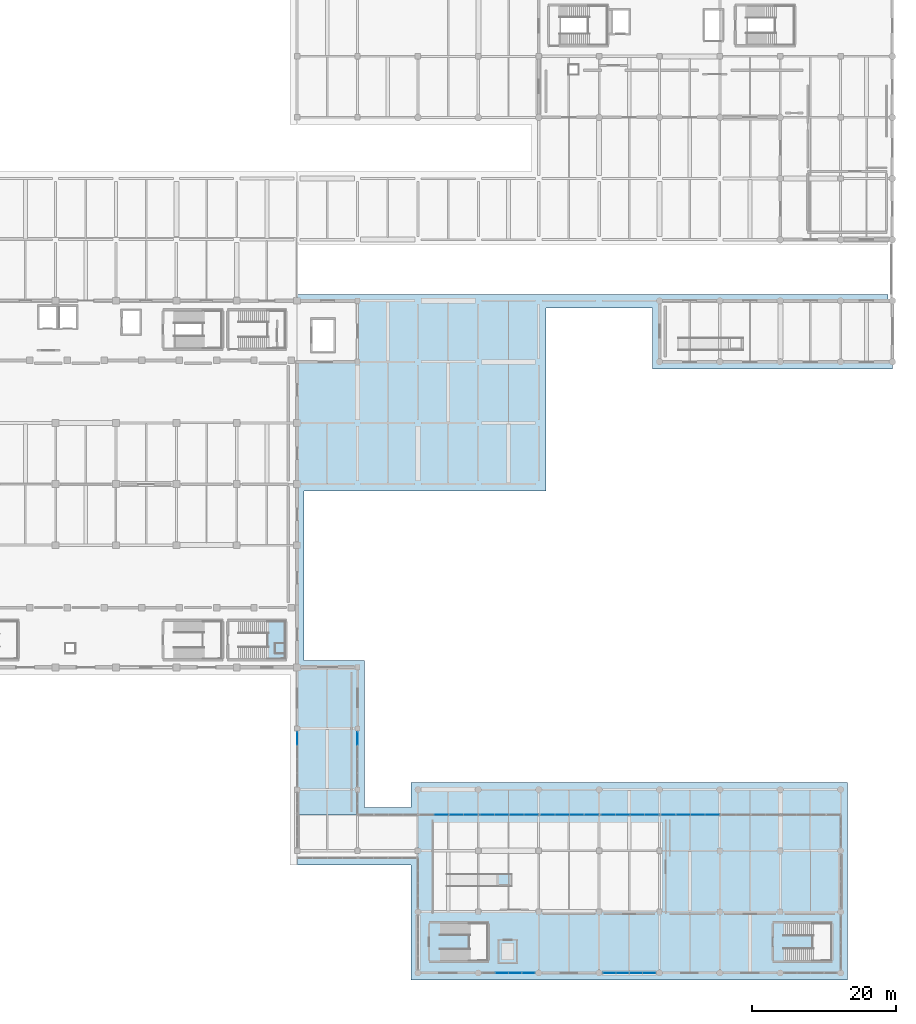
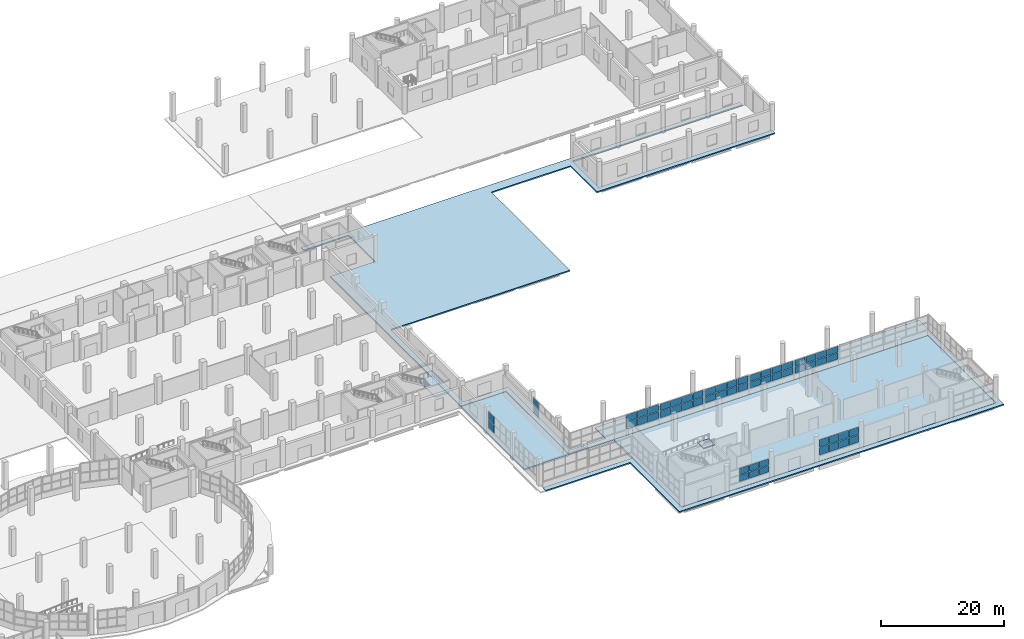
# One storey, part 81 of 107: 56 plates, 5 slabs, 11 elements without a shape of their own.
"""IFC4 building model written with IfcOpenShell, lengths in metres."""

from ifc_helpers import new_model, si_unit, direction, frame, origin, origin_2d, place, context, subcontext, project, spatial, polyline, rectangle, outline, extrude, material, layer, layer_set, type_object, element, aggregate, save


model = new_model("IFC4")

# Units and contexts
model_context = context("Model", 3, precision=1e-05, world=origin(), true_north=direction((0.0, 1.0)))
body_context = subcontext(model_context, "Body", "Model", "MODEL_VIEW")
ifc_project = project(units=[si_unit("LENGTHUNIT", "METRE"), si_unit("AREAUNIT", "SQUARE_METRE"), si_unit("VOLUMEUNIT", "CUBIC_METRE"), si_unit("PLANEANGLEUNIT", "RADIAN"), si_unit("MASSUNIT", "GRAM", prefix="KILO")], contexts=[model_context])

# Site, building, storey
site_placement = place(None, origin())
site = spatial("IfcSite", under=ifc_project, at=site_placement, CompositionType="ELEMENT")
building_placement = place(site_placement, origin())
building = spatial("IfcBuilding", under=site, at=building_placement, Name="Solvento Point Concert Hall", CompositionType="ELEMENT")
storey_placement = place(building_placement, origin())
storey = spatial("IfcBuildingStorey", under=building, at=storey_placement, Name="L00", CompositionType="ELEMENT", Elevation=0.0)

# Curtain wall, plates
ifc_material_1 = material(Name="Anodized Bronze Aluminium", Category="aluminium")
curtain_wall_type = type_object("IfcCurtainWallType", Name="CurtainWall_CafeVeranda", PredefinedType="USERDEFINED", material=ifc_material_1)
curtain_wall_1_placement = place(storey_placement, origin())
curtain_wall_1 = element("IfcCurtainWall", 1, at=curtain_wall_1_placement, inside=storey, type_object=curtain_wall_type, Name="Unitised curtain wall CW-42 UCW-L00-037", ObjectType="UNITISED CURTAIN WALL", PredefinedType="USERDEFINED")
ifc_material_2 = material(Name="Hurricane Laminated Low-E Glass", Category="glass")
plate_type = type_object("IfcPlateType", Name="CurtainPanel_CafeVeranda", PredefinedType="CURTAIN_PANEL", material=ifc_material_2)
plate_1_placement = place(storey_placement, frame((141.60009765625, 32.61865234375, 1.239990234375), z_axis=(0.0, 0.0, 1.0), x_axis=(0.0, 1.0, 0.0)))
plate_1 = element("IfcPlate", 2, at=plate_1_placement, type_object=plate_type, Name="Glazed curtain panel GL-04", PredefinedType="CURTAIN_PANEL", context=body_context, shape_type="SweptSolid", body=[
    extrude(rectangle(XDim=1.79248046875, YDim=0.0400390625, at=origin_2d()), origin(), (0.0, 0.0, 1.0), 1.4755859375),
])
plate_2_placement = place(storey_placement, frame((141.60009765625, 32.61865234375, 2.83544921875), z_axis=(0.0, 0.0, 1.0), x_axis=(0.0, 1.0, 0.0)))
plate_2 = element("IfcPlate", 3, at=plate_2_placement, type_object=plate_type, Name="Glazed curtain panel GL-04", PredefinedType="CURTAIN_PANEL", context=body_context, shape_type="SweptSolid", body=[
    extrude(rectangle(XDim=1.79248046875, YDim=0.0400390625, at=origin_2d()), origin(), (0.0, 0.0, 1.0), 1.4755859375),
])
aggregate(curtain_wall_1, [plate_1, plate_2])

curtain_wall_2_placement = place(storey_placement, origin())
curtain_wall_2 = element("IfcCurtainWall", 4, at=curtain_wall_2_placement, inside=storey, type_object=curtain_wall_type, Name="Unitised curtain wall CW-42 UCW-L00-039", ObjectType="UNITISED CURTAIN WALL", PredefinedType="USERDEFINED")
plate_3_placement = place(storey_placement, frame((153.2763671875, 22.0, 1.239990234375), z_axis=(0.0, 0.0, 1.0), x_axis=(1.0, 0.0, 0.0)))
plate_3 = element("IfcPlate", 5, at=plate_3_placement, type_object=plate_type, Name="Glazed curtain panel GL-04", PredefinedType="CURTAIN_PANEL", context=body_context, shape_type="SweptSolid", body=[
    extrude(rectangle(XDim=1.91748046875, YDim=0.0400390625, at=origin_2d()), origin(), (0.0, 0.0, 1.0), 1.35693359375),
])
plate_4_placement = place(storey_placement, frame((153.2763671875, 22.0, 2.717041015625), z_axis=(0.0, 0.0, 1.0), x_axis=(1.0, 0.0, 0.0)))
plate_4 = element("IfcPlate", 6, at=plate_4_placement, type_object=plate_type, Name="Glazed curtain panel GL-04", PredefinedType="CURTAIN_PANEL", context=body_context, shape_type="SweptSolid", body=[
    extrude(rectangle(XDim=1.91748046875, YDim=0.0400390625, at=origin_2d()), origin(), (0.0, 0.0, 1.0), 1.35693359375),
])
plate_5_placement = place(storey_placement, frame((155.313720703125, 22.0, 1.239990234375), z_axis=(0.0, 0.0, 1.0), x_axis=(1.0, 0.0, 0.0)))
plate_5 = element("IfcPlate", 7, at=plate_5_placement, type_object=plate_type, Name="Glazed curtain panel GL-04", PredefinedType="CURTAIN_PANEL", context=body_context, shape_type="SweptSolid", body=[
    extrude(rectangle(XDim=1.91748046875, YDim=0.0400390625, at=origin_2d()), origin(), (0.0, 0.0, 1.0), 1.35693359375),
])
plate_6_placement = place(storey_placement, frame((155.313720703125, 22.0, 2.717041015625), z_axis=(0.0, 0.0, 1.0), x_axis=(1.0, 0.0, 0.0)))
plate_6 = element("IfcPlate", 8, at=plate_6_placement, type_object=plate_type, Name="Glazed curtain panel GL-04", PredefinedType="CURTAIN_PANEL", context=body_context, shape_type="SweptSolid", body=[
    extrude(rectangle(XDim=1.91748046875, YDim=0.0400390625, at=origin_2d()), origin(), (0.0, 0.0, 1.0), 1.35693359375),
])
plate_7_placement = place(storey_placement, frame((157.351318359375, 22.0, 1.239990234375), z_axis=(0.0, 0.0, 1.0), x_axis=(1.0, 0.0, 0.0)))
plate_7 = element("IfcPlate", 9, at=plate_7_placement, type_object=plate_type, Name="Glazed curtain panel GL-04", PredefinedType="CURTAIN_PANEL", context=body_context, shape_type="SweptSolid", body=[
    extrude(rectangle(XDim=1.91748046875, YDim=0.0400390625, at=origin_2d()), origin(), (0.0, 0.0, 1.0), 1.35693359375),
])
plate_8_placement = place(storey_placement, frame((157.351318359375, 22.0, 2.717041015625), z_axis=(0.0, 0.0, 1.0), x_axis=(1.0, 0.0, 0.0)))
plate_8 = element("IfcPlate", 10, at=plate_8_placement, type_object=plate_type, Name="Glazed curtain panel GL-04", PredefinedType="CURTAIN_PANEL", context=body_context, shape_type="SweptSolid", body=[
    extrude(rectangle(XDim=1.91748046875, YDim=0.0400390625, at=origin_2d()), origin(), (0.0, 0.0, 1.0), 1.35693359375),
])
aggregate(curtain_wall_2, [plate_3, plate_4, plate_5, plate_6, plate_7, plate_8])

curtain_wall_3_placement = place(storey_placement, origin())
curtain_wall_3 = element("IfcCurtainWall", 11, at=curtain_wall_3_placement, inside=storey, type_object=curtain_wall_type, Name="Unitised curtain wall CW-42 UCW-L00-040", ObjectType="UNITISED CURTAIN WALL", PredefinedType="USERDEFINED")
plate_9_placement = place(storey_placement, frame((159.638916015625, 22.0, 1.239990234375), z_axis=(0.0, 0.0, 1.0), x_axis=(1.0, 0.0, 0.0)))
plate_9 = element("IfcPlate", 12, at=plate_9_placement, type_object=plate_type, Name="Glazed curtain panel GL-04", PredefinedType="CURTAIN_PANEL", context=body_context, shape_type="SweptSolid", body=[
    extrude(rectangle(XDim=1.91748046875, YDim=0.0400390625, at=origin_2d()), origin(), (0.0, 0.0, 1.0), 1.3125),
])
plate_10_placement = place(storey_placement, frame((159.638916015625, 22.0, 2.672607421875), z_axis=(0.0, 0.0, 1.0), x_axis=(1.0, 0.0, 0.0)))
plate_10 = element("IfcPlate", 13, at=plate_10_placement, type_object=plate_type, Name="Glazed curtain panel GL-04", PredefinedType="CURTAIN_PANEL", context=body_context, shape_type="SweptSolid", body=[
    extrude(rectangle(XDim=1.91748046875, YDim=0.0400390625, at=origin_2d()), origin(), (0.0, 0.0, 1.0), 1.3125),
])
plate_11_placement = place(storey_placement, frame((161.67626953125, 22.0, 1.239990234375), z_axis=(0.0, 0.0, 1.0), x_axis=(1.0, 0.0, 0.0)))
plate_11 = element("IfcPlate", 14, at=plate_11_placement, type_object=plate_type, Name="Glazed curtain panel GL-04", PredefinedType="CURTAIN_PANEL", context=body_context, shape_type="SweptSolid", body=[
    extrude(rectangle(XDim=1.91748046875, YDim=0.0400390625, at=origin_2d()), origin(), (0.0, 0.0, 1.0), 1.3125),
])
plate_12_placement = place(storey_placement, frame((161.67626953125, 22.0, 2.672607421875), z_axis=(0.0, 0.0, 1.0), x_axis=(1.0, 0.0, 0.0)))
plate_12 = element("IfcPlate", 15, at=plate_12_placement, type_object=plate_type, Name="Glazed curtain panel GL-04", PredefinedType="CURTAIN_PANEL", context=body_context, shape_type="SweptSolid", body=[
    extrude(rectangle(XDim=1.91748046875, YDim=0.0400390625, at=origin_2d()), origin(), (0.0, 0.0, 1.0), 1.3125),
])
plate_13_placement = place(storey_placement, frame((163.7138671875, 22.0, 1.239990234375), z_axis=(0.0, 0.0, 1.0), x_axis=(1.0, 0.0, 0.0)))
plate_13 = element("IfcPlate", 16, at=plate_13_placement, type_object=plate_type, Name="Glazed curtain panel GL-04", PredefinedType="CURTAIN_PANEL", context=body_context, shape_type="SweptSolid", body=[
    extrude(rectangle(XDim=1.91748046875, YDim=0.0400390625, at=origin_2d()), origin(), (0.0, 0.0, 1.0), 1.3125),
])
plate_14_placement = place(storey_placement, frame((163.7138671875, 22.0, 2.672607421875), z_axis=(0.0, 0.0, 1.0), x_axis=(1.0, 0.0, 0.0)))
plate_14 = element("IfcPlate", 17, at=plate_14_placement, type_object=plate_type, Name="Glazed curtain panel GL-04", PredefinedType="CURTAIN_PANEL", context=body_context, shape_type="SweptSolid", body=[
    extrude(rectangle(XDim=1.91748046875, YDim=0.0400390625, at=origin_2d()), origin(), (0.0, 0.0, 1.0), 1.3125),
])
plate_15_placement = place(storey_placement, frame((165.751220703125, 22.0, 1.239990234375), z_axis=(0.0, 0.0, 1.0), x_axis=(1.0, 0.0, 0.0)))
plate_15 = element("IfcPlate", 18, at=plate_15_placement, type_object=plate_type, Name="Glazed curtain panel GL-04", PredefinedType="CURTAIN_PANEL", context=body_context, shape_type="SweptSolid", body=[
    extrude(rectangle(XDim=1.91748046875, YDim=0.0400390625, at=origin_2d()), origin(), (0.0, 0.0, 1.0), 1.3125),
])
plate_16_placement = place(storey_placement, frame((165.751220703125, 22.0, 2.672607421875), z_axis=(0.0, 0.0, 1.0), x_axis=(1.0, 0.0, 0.0)))
plate_16 = element("IfcPlate", 19, at=plate_16_placement, type_object=plate_type, Name="Glazed curtain panel GL-04", PredefinedType="CURTAIN_PANEL", context=body_context, shape_type="SweptSolid", body=[
    extrude(rectangle(XDim=1.91748046875, YDim=0.0400390625, at=origin_2d()), origin(), (0.0, 0.0, 1.0), 1.3125),
])
aggregate(curtain_wall_3, [plate_9, plate_10, plate_11, plate_12, plate_13, plate_14, plate_15, plate_16])

curtain_wall_4_placement = place(storey_placement, origin())
curtain_wall_4 = element("IfcCurtainWall", 20, at=curtain_wall_4_placement, inside=storey, type_object=curtain_wall_type, Name="Unitised curtain wall CW-42 UCW-L00-041", ObjectType="UNITISED CURTAIN WALL", PredefinedType="USERDEFINED")
plate_17_placement = place(storey_placement, frame((168.038818359375, 22.0, 1.240234375), z_axis=(0.0, 0.0, 1.0), x_axis=(1.0, 0.0, 0.0)))
plate_17 = element("IfcPlate", 21, at=plate_17_placement, type_object=plate_type, Name="Glazed curtain panel GL-04", PredefinedType="CURTAIN_PANEL", context=body_context, shape_type="SweptSolid", body=[
    extrude(rectangle(XDim=1.91748046875, YDim=0.0400390625, at=origin_2d()), origin(), (0.0, 0.0, 1.0), 1.278564453125),
])
plate_18_placement = place(storey_placement, frame((168.038818359375, 22.0, 2.638671875), z_axis=(0.0, 0.0, 1.0), x_axis=(1.0, 0.0, 0.0)))
plate_18 = element("IfcPlate", 22, at=plate_18_placement, type_object=plate_type, Name="Glazed curtain panel GL-04", PredefinedType="CURTAIN_PANEL", context=body_context, shape_type="SweptSolid", body=[
    extrude(rectangle(XDim=1.91748046875, YDim=0.0400390625, at=origin_2d()), origin(), (0.0, 0.0, 1.0), 1.278564453125),
])
plate_19_placement = place(storey_placement, frame((170.076416015625, 22.0, 1.240234375), z_axis=(0.0, 0.0, 1.0), x_axis=(1.0, 0.0, 0.0)))
plate_19 = element("IfcPlate", 23, at=plate_19_placement, type_object=plate_type, Name="Glazed curtain panel GL-04", PredefinedType="CURTAIN_PANEL", context=body_context, shape_type="SweptSolid", body=[
    extrude(rectangle(XDim=1.91748046875, YDim=0.0400390625, at=origin_2d()), origin(), (0.0, 0.0, 1.0), 1.278564453125),
])
plate_20_placement = place(storey_placement, frame((170.076416015625, 22.0, 2.638671875), z_axis=(0.0, 0.0, 1.0), x_axis=(1.0, 0.0, 0.0)))
plate_20 = element("IfcPlate", 24, at=plate_20_placement, type_object=plate_type, Name="Glazed curtain panel GL-04", PredefinedType="CURTAIN_PANEL", context=body_context, shape_type="SweptSolid", body=[
    extrude(rectangle(XDim=1.91748046875, YDim=0.0400390625, at=origin_2d()), origin(), (0.0, 0.0, 1.0), 1.278564453125),
])
plate_21_placement = place(storey_placement, frame((172.11376953125, 22.0, 1.240234375), z_axis=(0.0, 0.0, 1.0), x_axis=(1.0, 0.0, 0.0)))
plate_21 = element("IfcPlate", 25, at=plate_21_placement, type_object=plate_type, Name="Glazed curtain panel GL-04", PredefinedType="CURTAIN_PANEL", context=body_context, shape_type="SweptSolid", body=[
    extrude(rectangle(XDim=1.91748046875, YDim=0.0400390625, at=origin_2d()), origin(), (0.0, 0.0, 1.0), 1.278564453125),
])
plate_22_placement = place(storey_placement, frame((172.11376953125, 22.0, 2.638671875), z_axis=(0.0, 0.0, 1.0), x_axis=(1.0, 0.0, 0.0)))
plate_22 = element("IfcPlate", 26, at=plate_22_placement, type_object=plate_type, Name="Glazed curtain panel GL-04", PredefinedType="CURTAIN_PANEL", context=body_context, shape_type="SweptSolid", body=[
    extrude(rectangle(XDim=1.91748046875, YDim=0.0400390625, at=origin_2d()), origin(), (0.0, 0.0, 1.0), 1.278564453125),
])
plate_23_placement = place(storey_placement, frame((174.1513671875, 22.0, 1.240234375), z_axis=(0.0, 0.0, 1.0), x_axis=(1.0, 0.0, 0.0)))
plate_23 = element("IfcPlate", 27, at=plate_23_placement, type_object=plate_type, Name="Glazed curtain panel GL-04", PredefinedType="CURTAIN_PANEL", context=body_context, shape_type="SweptSolid", body=[
    extrude(rectangle(XDim=1.91748046875, YDim=0.0400390625, at=origin_2d()), origin(), (0.0, 0.0, 1.0), 1.278564453125),
])
plate_24_placement = place(storey_placement, frame((174.1513671875, 22.0, 2.638671875), z_axis=(0.0, 0.0, 1.0), x_axis=(1.0, 0.0, 0.0)))
plate_24 = element("IfcPlate", 28, at=plate_24_placement, type_object=plate_type, Name="Glazed curtain panel GL-04", PredefinedType="CURTAIN_PANEL", context=body_context, shape_type="SweptSolid", body=[
    extrude(rectangle(XDim=1.91748046875, YDim=0.0400390625, at=origin_2d()), origin(), (0.0, 0.0, 1.0), 1.278564453125),
])
aggregate(curtain_wall_4, [plate_17, plate_18, plate_19, plate_20, plate_21, plate_22, plate_23, plate_24])

curtain_wall_5_placement = place(storey_placement, origin())
curtain_wall_5 = element("IfcCurtainWall", 29, at=curtain_wall_5_placement, inside=storey, type_object=curtain_wall_type, Name="Unitised curtain wall CW-42 UCW-L00-042", ObjectType="UNITISED CURTAIN WALL", PredefinedType="USERDEFINED")
plate_25_placement = place(storey_placement, frame((176.438720703125, 22.0, 1.239990234375), z_axis=(0.0, 0.0, 1.0), x_axis=(1.0, 0.0, 0.0)))
plate_25 = element("IfcPlate", 30, at=plate_25_placement, type_object=plate_type, Name="Glazed curtain panel GL-04", PredefinedType="CURTAIN_PANEL", context=body_context, shape_type="SweptSolid", body=[
    extrude(rectangle(XDim=1.91748046875, YDim=0.0400390625, at=origin_2d()), origin(), (0.0, 0.0, 1.0), 1.22900390625),
])
plate_26_placement = place(storey_placement, frame((176.438720703125, 22.0, 2.589111328125), z_axis=(0.0, 0.0, 1.0), x_axis=(1.0, 0.0, 0.0)))
plate_26 = element("IfcPlate", 31, at=plate_26_placement, type_object=plate_type, Name="Glazed curtain panel GL-04", PredefinedType="CURTAIN_PANEL", context=body_context, shape_type="SweptSolid", body=[
    extrude(rectangle(XDim=1.91748046875, YDim=0.0400390625, at=origin_2d()), origin(), (0.0, 0.0, 1.0), 1.22900390625),
])
plate_27_placement = place(storey_placement, frame((178.476318359375, 22.0, 1.239990234375), z_axis=(0.0, 0.0, 1.0), x_axis=(1.0, 0.0, 0.0)))
plate_27 = element("IfcPlate", 32, at=plate_27_placement, type_object=plate_type, Name="Glazed curtain panel GL-04", PredefinedType="CURTAIN_PANEL", context=body_context, shape_type="SweptSolid", body=[
    extrude(rectangle(XDim=1.91748046875, YDim=0.0400390625, at=origin_2d()), origin(), (0.0, 0.0, 1.0), 1.22900390625),
])
plate_28_placement = place(storey_placement, frame((178.476318359375, 22.0, 2.589111328125), z_axis=(0.0, 0.0, 1.0), x_axis=(1.0, 0.0, 0.0)))
plate_28 = element("IfcPlate", 33, at=plate_28_placement, type_object=plate_type, Name="Glazed curtain panel GL-04", PredefinedType="CURTAIN_PANEL", context=body_context, shape_type="SweptSolid", body=[
    extrude(rectangle(XDim=1.91748046875, YDim=0.0400390625, at=origin_2d()), origin(), (0.0, 0.0, 1.0), 1.22900390625),
])
plate_29_placement = place(storey_placement, frame((180.513671875, 22.0, 1.239990234375), z_axis=(0.0, 0.0, 1.0), x_axis=(1.0, 0.0, 0.0)))
plate_29 = element("IfcPlate", 34, at=plate_29_placement, type_object=plate_type, Name="Glazed curtain panel GL-04", PredefinedType="CURTAIN_PANEL", context=body_context, shape_type="SweptSolid", body=[
    extrude(rectangle(XDim=1.91748046875, YDim=0.0400390625, at=origin_2d()), origin(), (0.0, 0.0, 1.0), 1.22900390625),
])
plate_30_placement = place(storey_placement, frame((180.513671875, 22.0, 2.589111328125), z_axis=(0.0, 0.0, 1.0), x_axis=(1.0, 0.0, 0.0)))
plate_30 = element("IfcPlate", 35, at=plate_30_placement, type_object=plate_type, Name="Glazed curtain panel GL-04", PredefinedType="CURTAIN_PANEL", context=body_context, shape_type="SweptSolid", body=[
    extrude(rectangle(XDim=1.91748046875, YDim=0.0400390625, at=origin_2d()), origin(), (0.0, 0.0, 1.0), 1.22900390625),
])
plate_31_placement = place(storey_placement, frame((182.55126953125, 22.0, 1.239990234375), z_axis=(0.0, 0.0, 1.0), x_axis=(1.0, 0.0, 0.0)))
plate_31 = element("IfcPlate", 36, at=plate_31_placement, type_object=plate_type, Name="Glazed curtain panel GL-04", PredefinedType="CURTAIN_PANEL", context=body_context, shape_type="SweptSolid", body=[
    extrude(rectangle(XDim=1.91748046875, YDim=0.0400390625, at=origin_2d()), origin(), (0.0, 0.0, 1.0), 1.22900390625),
])
plate_32_placement = place(storey_placement, frame((182.55126953125, 22.0, 2.589111328125), z_axis=(0.0, 0.0, 1.0), x_axis=(1.0, 0.0, 0.0)))
plate_32 = element("IfcPlate", 37, at=plate_32_placement, type_object=plate_type, Name="Glazed curtain panel GL-04", PredefinedType="CURTAIN_PANEL", context=body_context, shape_type="SweptSolid", body=[
    extrude(rectangle(XDim=1.91748046875, YDim=0.0400390625, at=origin_2d()), origin(), (0.0, 0.0, 1.0), 1.22900390625),
])
aggregate(curtain_wall_5, [plate_25, plate_26, plate_27, plate_28, plate_29, plate_30, plate_31, plate_32])

curtain_wall_6_placement = place(storey_placement, origin())
curtain_wall_6 = element("IfcCurtainWall", 38, at=curtain_wall_6_placement, inside=storey, type_object=curtain_wall_type, Name="Unitised curtain wall CW-42 UCW-L00-043", ObjectType="UNITISED CURTAIN WALL", PredefinedType="USERDEFINED")
plate_33_placement = place(storey_placement, frame((184.8388671875, 22.0, 1.239990234375), z_axis=(0.0, 0.0, 1.0), x_axis=(1.0, 0.0, 0.0)))
plate_33 = element("IfcPlate", 39, at=plate_33_placement, type_object=plate_type, Name="Glazed curtain panel GL-04", PredefinedType="CURTAIN_PANEL", context=body_context, shape_type="SweptSolid", body=[
    extrude(rectangle(XDim=1.91748046875, YDim=0.0400390625, at=origin_2d()), origin(), (0.0, 0.0, 1.0), 1.22900390625),
])
plate_34_placement = place(storey_placement, frame((184.8388671875, 22.0, 2.589111328125), z_axis=(0.0, 0.0, 1.0), x_axis=(1.0, 0.0, 0.0)))
plate_34 = element("IfcPlate", 40, at=plate_34_placement, type_object=plate_type, Name="Glazed curtain panel GL-04", PredefinedType="CURTAIN_PANEL", context=body_context, shape_type="SweptSolid", body=[
    extrude(rectangle(XDim=1.91748046875, YDim=0.0400390625, at=origin_2d()), origin(), (0.0, 0.0, 1.0), 1.22900390625),
])
plate_35_placement = place(storey_placement, frame((186.876220703125, 22.0, 1.239990234375), z_axis=(0.0, 0.0, 1.0), x_axis=(1.0, 0.0, 0.0)))
plate_35 = element("IfcPlate", 41, at=plate_35_placement, type_object=plate_type, Name="Glazed curtain panel GL-04", PredefinedType="CURTAIN_PANEL", context=body_context, shape_type="SweptSolid", body=[
    extrude(rectangle(XDim=1.91748046875, YDim=0.0400390625, at=origin_2d()), origin(), (0.0, 0.0, 1.0), 1.22900390625),
])
plate_36_placement = place(storey_placement, frame((186.876220703125, 22.0, 2.589111328125), z_axis=(0.0, 0.0, 1.0), x_axis=(1.0, 0.0, 0.0)))
plate_36 = element("IfcPlate", 42, at=plate_36_placement, type_object=plate_type, Name="Glazed curtain panel GL-04", PredefinedType="CURTAIN_PANEL", context=body_context, shape_type="SweptSolid", body=[
    extrude(rectangle(XDim=1.91748046875, YDim=0.0400390625, at=origin_2d()), origin(), (0.0, 0.0, 1.0), 1.22900390625),
])
plate_37_placement = place(storey_placement, frame((188.913818359375, 22.0, 1.239990234375), z_axis=(0.0, 0.0, 1.0), x_axis=(1.0, 0.0, 0.0)))
plate_37 = element("IfcPlate", 43, at=plate_37_placement, type_object=plate_type, Name="Glazed curtain panel GL-04", PredefinedType="CURTAIN_PANEL", context=body_context, shape_type="SweptSolid", body=[
    extrude(rectangle(XDim=1.91748046875, YDim=0.0400390625, at=origin_2d()), origin(), (0.0, 0.0, 1.0), 1.22900390625),
])
plate_38_placement = place(storey_placement, frame((188.913818359375, 22.0, 2.589111328125), z_axis=(0.0, 0.0, 1.0), x_axis=(1.0, 0.0, 0.0)))
plate_38 = element("IfcPlate", 44, at=plate_38_placement, type_object=plate_type, Name="Glazed curtain panel GL-04", PredefinedType="CURTAIN_PANEL", context=body_context, shape_type="SweptSolid", body=[
    extrude(rectangle(XDim=1.91748046875, YDim=0.0400390625, at=origin_2d()), origin(), (0.0, 0.0, 1.0), 1.22900390625),
])
plate_39_placement = place(storey_placement, frame((190.951171875, 22.0, 1.239990234375), z_axis=(0.0, 0.0, 1.0), x_axis=(1.0, 0.0, 0.0)))
plate_39 = element("IfcPlate", 45, at=plate_39_placement, type_object=plate_type, Name="Glazed curtain panel GL-04", PredefinedType="CURTAIN_PANEL", context=body_context, shape_type="SweptSolid", body=[
    extrude(rectangle(XDim=1.91748046875, YDim=0.0400390625, at=origin_2d()), origin(), (0.0, 0.0, 1.0), 1.22900390625),
])
plate_40_placement = place(storey_placement, frame((190.951171875, 22.0, 2.589111328125), z_axis=(0.0, 0.0, 1.0), x_axis=(1.0, 0.0, 0.0)))
plate_40 = element("IfcPlate", 46, at=plate_40_placement, type_object=plate_type, Name="Glazed curtain panel GL-04", PredefinedType="CURTAIN_PANEL", context=body_context, shape_type="SweptSolid", body=[
    extrude(rectangle(XDim=1.91748046875, YDim=0.0400390625, at=origin_2d()), origin(), (0.0, 0.0, 1.0), 1.22900390625),
])
aggregate(curtain_wall_6, [plate_33, plate_34, plate_35, plate_36, plate_37, plate_38, plate_39, plate_40])

curtain_wall_7_placement = place(storey_placement, origin())
curtain_wall_7 = element("IfcCurtainWall", 47, at=curtain_wall_7_placement, inside=storey, type_object=curtain_wall_type, Name="Unitised curtain wall CW-42 UCW-L00-049", ObjectType="UNITISED CURTAIN WALL", PredefinedType="USERDEFINED")
plate_41_placement = place(storey_placement, frame((161.675048828125, 0.0, 1.239990234375), z_axis=(0.0, 0.0, 1.0), x_axis=(1.0, 0.0, 0.0)))
plate_41 = element("IfcPlate", 48, at=plate_41_placement, type_object=plate_type, Name="Glazed curtain panel GL-04", PredefinedType="CURTAIN_PANEL", context=body_context, shape_type="SweptSolid", body=[
    extrude(rectangle(XDim=1.72998046875, YDim=0.0400390625, at=origin_2d()), origin(), (0.0, 0.0, 1.0), 1.22900390625),
])
plate_42_placement = place(storey_placement, frame((161.675048828125, 0.0, 2.589111328125), z_axis=(0.0, 0.0, 1.0), x_axis=(1.0, 0.0, 0.0)))
plate_42 = element("IfcPlate", 49, at=plate_42_placement, type_object=plate_type, Name="Glazed curtain panel GL-04", PredefinedType="CURTAIN_PANEL", context=body_context, shape_type="SweptSolid", body=[
    extrude(rectangle(XDim=1.72998046875, YDim=0.0400390625, at=origin_2d()), origin(), (0.0, 0.0, 1.0), 1.22900390625),
])
plate_43_placement = place(storey_placement, frame((163.52490234375, 0.0, 1.239990234375), z_axis=(0.0, 0.0, 1.0), x_axis=(1.0, 0.0, 0.0)))
plate_43 = element("IfcPlate", 50, at=plate_43_placement, type_object=plate_type, Name="Glazed curtain panel GL-04", PredefinedType="CURTAIN_PANEL", context=body_context, shape_type="SweptSolid", body=[
    extrude(rectangle(XDim=1.72998046875, YDim=0.0400390625, at=origin_2d()), origin(), (0.0, 0.0, 1.0), 1.22900390625),
])
plate_44_placement = place(storey_placement, frame((163.52490234375, 0.0, 2.589111328125), z_axis=(0.0, 0.0, 1.0), x_axis=(1.0, 0.0, 0.0)))
plate_44 = element("IfcPlate", 51, at=plate_44_placement, type_object=plate_type, Name="Glazed curtain panel GL-04", PredefinedType="CURTAIN_PANEL", context=body_context, shape_type="SweptSolid", body=[
    extrude(rectangle(XDim=1.72998046875, YDim=0.0400390625, at=origin_2d()), origin(), (0.0, 0.0, 1.0), 1.22900390625),
])
plate_45_placement = place(storey_placement, frame((165.375, 0.0, 1.239990234375), z_axis=(0.0, 0.0, 1.0), x_axis=(1.0, 0.0, 0.0)))
plate_45 = element("IfcPlate", 52, at=plate_45_placement, type_object=plate_type, Name="Glazed curtain panel GL-04", PredefinedType="CURTAIN_PANEL", context=body_context, shape_type="SweptSolid", body=[
    extrude(rectangle(XDim=1.72998046875, YDim=0.0400390625, at=origin_2d()), origin(), (0.0, 0.0, 1.0), 1.22900390625),
])
plate_46_placement = place(storey_placement, frame((165.375, 0.0, 2.589111328125), z_axis=(0.0, 0.0, 1.0), x_axis=(1.0, 0.0, 0.0)))
plate_46 = element("IfcPlate", 53, at=plate_46_placement, type_object=plate_type, Name="Glazed curtain panel GL-04", PredefinedType="CURTAIN_PANEL", context=body_context, shape_type="SweptSolid", body=[
    extrude(rectangle(XDim=1.72998046875, YDim=0.0400390625, at=origin_2d()), origin(), (0.0, 0.0, 1.0), 1.22900390625),
])
aggregate(curtain_wall_7, [plate_41, plate_42, plate_43, plate_44, plate_45, plate_46])

curtain_wall_8_placement = place(storey_placement, origin())
curtain_wall_8 = element("IfcCurtainWall", 54, at=curtain_wall_8_placement, inside=storey, type_object=curtain_wall_type, Name="Unitised curtain wall CW-42 UCW-L00-050", ObjectType="UNITISED CURTAIN WALL", PredefinedType="USERDEFINED")
plate_47_placement = place(storey_placement, frame((176.625, 0.0, 1.239990234375), z_axis=(0.0, 0.0, 1.0), x_axis=(1.0, 0.0, 0.0)))
plate_47 = element("IfcPlate", 55, at=plate_47_placement, type_object=plate_type, Name="Glazed curtain panel GL-04", PredefinedType="CURTAIN_PANEL", context=body_context, shape_type="SweptSolid", body=[
    extrude(rectangle(XDim=1.72998046875, YDim=0.0400390625, at=origin_2d()), origin(), (0.0, 0.0, 1.0), 1.43798828125),
])
plate_48_placement = place(storey_placement, frame((176.625, 0.0, 2.798095703125), z_axis=(0.0, 0.0, 1.0), x_axis=(1.0, 0.0, 0.0)))
plate_48 = element("IfcPlate", 56, at=plate_48_placement, type_object=plate_type, Name="Glazed curtain panel GL-04", PredefinedType="CURTAIN_PANEL", context=body_context, shape_type="SweptSolid", body=[
    extrude(rectangle(XDim=1.72998046875, YDim=0.0400390625, at=origin_2d()), origin(), (0.0, 0.0, 1.0), 1.43798828125),
])
plate_49_placement = place(storey_placement, frame((178.47509765625, 0.0, 1.239990234375), z_axis=(0.0, 0.0, 1.0), x_axis=(1.0, 0.0, 0.0)))
plate_49 = element("IfcPlate", 57, at=plate_49_placement, type_object=plate_type, Name="Glazed curtain panel GL-04", PredefinedType="CURTAIN_PANEL", context=body_context, shape_type="SweptSolid", body=[
    extrude(rectangle(XDim=1.72998046875, YDim=0.0400390625, at=origin_2d()), origin(), (0.0, 0.0, 1.0), 1.43798828125),
])
plate_50_placement = place(storey_placement, frame((178.47509765625, 0.0, 2.798095703125), z_axis=(0.0, 0.0, 1.0), x_axis=(1.0, 0.0, 0.0)))
plate_50 = element("IfcPlate", 58, at=plate_50_placement, type_object=plate_type, Name="Glazed curtain panel GL-04", PredefinedType="CURTAIN_PANEL", context=body_context, shape_type="SweptSolid", body=[
    extrude(rectangle(XDim=1.72998046875, YDim=0.0400390625, at=origin_2d()), origin(), (0.0, 0.0, 1.0), 1.43798828125),
])
plate_51_placement = place(storey_placement, frame((180.324951171875, 0.0, 1.239990234375), z_axis=(0.0, 0.0, 1.0), x_axis=(1.0, 0.0, 0.0)))
plate_51 = element("IfcPlate", 59, at=plate_51_placement, type_object=plate_type, Name="Glazed curtain panel GL-04", PredefinedType="CURTAIN_PANEL", context=body_context, shape_type="SweptSolid", body=[
    extrude(rectangle(XDim=1.72998046875, YDim=0.0400390625, at=origin_2d()), origin(), (0.0, 0.0, 1.0), 1.43798828125),
])
plate_52_placement = place(storey_placement, frame((180.324951171875, 0.0, 2.798095703125), z_axis=(0.0, 0.0, 1.0), x_axis=(1.0, 0.0, 0.0)))
plate_52 = element("IfcPlate", 60, at=plate_52_placement, type_object=plate_type, Name="Glazed curtain panel GL-04", PredefinedType="CURTAIN_PANEL", context=body_context, shape_type="SweptSolid", body=[
    extrude(rectangle(XDim=1.72998046875, YDim=0.0400390625, at=origin_2d()), origin(), (0.0, 0.0, 1.0), 1.43798828125),
])
plate_53_placement = place(storey_placement, frame((182.175048828125, 0.0, 1.239990234375), z_axis=(0.0, 0.0, 1.0), x_axis=(1.0, 0.0, 0.0)))
plate_53 = element("IfcPlate", 61, at=plate_53_placement, type_object=plate_type, Name="Glazed curtain panel GL-04", PredefinedType="CURTAIN_PANEL", context=body_context, shape_type="SweptSolid", body=[
    extrude(rectangle(XDim=1.72998046875, YDim=0.0400390625, at=origin_2d()), origin(), (0.0, 0.0, 1.0), 1.43798828125),
])
plate_54_placement = place(storey_placement, frame((182.175048828125, 0.0, 2.798095703125), z_axis=(0.0, 0.0, 1.0), x_axis=(1.0, 0.0, 0.0)))
plate_54 = element("IfcPlate", 62, at=plate_54_placement, type_object=plate_type, Name="Glazed curtain panel GL-04", PredefinedType="CURTAIN_PANEL", context=body_context, shape_type="SweptSolid", body=[
    extrude(rectangle(XDim=1.72998046875, YDim=0.0400390625, at=origin_2d()), origin(), (0.0, 0.0, 1.0), 1.43798828125),
])
aggregate(curtain_wall_8, [plate_47, plate_48, plate_49, plate_50, plate_51, plate_52, plate_53, plate_54])

curtain_wall_9_placement = place(storey_placement, origin())
curtain_wall_9 = element("IfcCurtainWall", 63, at=curtain_wall_9_placement, inside=storey, type_object=curtain_wall_type, Name="Unitised curtain wall CW-42 UCW-L00-058", ObjectType="UNITISED CURTAIN WALL", PredefinedType="USERDEFINED")
plate_55_placement = place(storey_placement, frame((133.199951171875, 32.61865234375, 1.23974609375), z_axis=(0.0, 0.0, 1.0), x_axis=(0.0, 1.0, 0.0)))
plate_55 = element("IfcPlate", 64, at=plate_55_placement, type_object=plate_type, Name="Glazed curtain panel GL-04", PredefinedType="CURTAIN_PANEL", context=body_context, shape_type="SweptSolid", body=[
    extrude(rectangle(XDim=1.79248046875, YDim=0.0400390625, at=origin_2d()), origin(), (0.0, 0.0, 1.0), 1.547607421875),
])
plate_56_placement = place(storey_placement, frame((133.199951171875, 32.61865234375, 2.90771484375), z_axis=(0.0, 0.0, 1.0), x_axis=(0.0, 1.0, 0.0)))
plate_56 = element("IfcPlate", 65, at=plate_56_placement, type_object=plate_type, Name="Glazed curtain panel GL-04", PredefinedType="CURTAIN_PANEL", context=body_context, shape_type="SweptSolid", body=[
    extrude(rectangle(XDim=1.79248046875, YDim=0.0400390625, at=origin_2d()), origin(), (0.0, 0.0, 1.0), 1.547607421875),
])
aggregate(curtain_wall_9, [plate_55, plate_56])

# Slabs
ifc_material_3 = material(Name="Concrete C35/45", Category="concrete")
ifc_layer_1 = layer(ifc_material_3, 0.300048828125)
ifc_layer_set_1 = layer_set([ifc_layer_1], Name="Concrete C35/45")
slab_type_1 = type_object("IfcSlabType", Name="FloorSlab_300", PredefinedType="FLOOR", material=ifc_layer_set_1)
slab_1_placement = place(storey_placement, frame((0.0, 0.0, -0.300048828125)))
element("IfcSlab", 66, at=slab_1_placement, inside=storey, type_object=slab_type_1, Name="Structural slab SL-L00 SLAB-L00-V3M", PredefinedType="FLOOR", context=body_context, shape_type="SweptSolid", body=[
    extrude(outline(polyline([(133.199951171875, 42.5), (141.60009765625, 42.5), (141.60009765625, 22.0), (133.199951171875, 22.0), (133.199951171875, 42.5)])), origin(), (0.0, 0.0, 1.0), 0.300048828125),
])
ifc_material_4 = material(Name="Concrete C35/45", Category="concrete")
ifc_layer_2 = layer(ifc_material_4, 0.409912109375)
ifc_layer_set_2 = layer_set([ifc_layer_2], Name="Concrete C35/45")
slab_type_2 = type_object("IfcSlabType", Name="FloorSlab_405_Ground", PredefinedType="FLOOR", material=ifc_layer_set_2)
slab_2_placement = place(storey_placement, frame((0.0, 0.0, -0.409912109375)))
element("IfcSlab", 67, at=slab_2_placement, inside=storey, type_object=slab_type_2, Name="Structural slab SL-G40 SLAB-L00-V3", PredefinedType="FLOOR", context=body_context, shape_type="SweptSolid", body=[
    extrude(outline(polyline([(150.0, 22.0), (208.800048828125, 22.0), (208.800048828125, 0.0), (150.0, 0.0), (150.0, 22.0)])), origin(), (0.0, 0.0, 1.0), 0.409912109375),
])

# Stair, slab
ifc_material_5 = material(Name="Concrete C35/45", Category="concrete")
stair_type = type_object("IfcStairType", Name="CoreStair_1680", PredefinedType="HALF_TURN_STAIR", material=ifc_material_5)
stair_placement = place(storey_placement, origin())
stair = element("IfcStair", 68, at=stair_placement, inside=storey, type_object=stair_type, Name="Auditorium vomitory exit stair VOM-02 (L00 to L01)", PredefinedType="HALF_TURN_STAIR")
ifc_material_6 = material(Name="Concrete C35/45", Category="concrete")
ifc_layer_3 = layer(ifc_material_6, 0.179931640625)
ifc_layer_set_3 = layer_set([ifc_layer_3], Name="Concrete C35/45")
slab_type_3 = type_object("IfcSlabType", Name="StairLanding_180", PredefinedType="LANDING", material=ifc_layer_set_3)
slab_3_placement = place(storey_placement, frame((0.0, 0.0, 2.52001953125)))
slab_3 = element("IfcSlab", 69, at=slab_3_placement, type_object=slab_type_3, Name="Stair half-landing VOM-02 L00", PredefinedType="LANDING", context=body_context, shape_type="SweptSolid", body=[
    extrude(outline(polyline([(129.0, 43.56005859375), (131.639892578125, 43.56005859375), (131.639892578125, 49.0400390625), (129.0, 49.0400390625), (129.0, 43.56005859375)])), origin(), (0.0, 0.0, 1.0), 0.179931640625),
])
aggregate(stair, [slab_3])

# Ramp, slab
ifc_material_7 = material(Name="Concrete C35/45", Category="concrete")
ramp_type = type_object("IfcRampType", Name="PedestrianADARamp", PredefinedType="STRAIGHT_RUN_RAMP", material=ifc_material_7)
ramp_placement = place(storey_placement, origin())
ramp = element("IfcRamp", 70, at=ramp_placement, inside=storey, type_object=ramp_type, Name="Accessible 1:12 pedestrian ramp RMP-H2", PredefinedType="STRAIGHT_RUN_RAMP")
slab_4_placement = place(storey_placement, frame((0.0, 0.0, 0.3701171875)))
slab_4 = element("IfcSlab", 71, at=slab_4_placement, type_object=slab_type_3, Name="Accessible ramp top landing RMP-H2", PredefinedType="LANDING", context=body_context, shape_type="SweptSolid", body=[
    extrude(outline(polyline([(160.97998046875, 11.9599609375), (163.050048828125, 11.9599609375), (163.050048828125, 13.840087890625), (160.97998046875, 13.840087890625), (160.97998046875, 11.9599609375)])), origin(), (0.0, 0.0, 1.0), 0.179931640625),
])
aggregate(ramp, [slab_4])

# Slab
ifc_material_8 = material(Name="Concrete C40/50", Category="concrete")
ifc_layer_4 = layer(ifc_material_8, 0.239990234375)
ifc_layer_set_4 = layer_set([ifc_layer_4], Name="Concrete C40/50")
slab_type_4 = type_object("IfcSlabType", Name="TerraceSlab_250", PredefinedType="FLOOR", material=ifc_layer_set_4)
slab_5_placement = place(storey_placement, frame((0.0, 0.0, -0.239990234375)))
element("IfcSlab", 72, at=slab_5_placement, inside=storey, type_object=slab_type_4, Name="Outdoor public terrace deck L00", PredefinedType="FLOOR", context=body_context, shape_type="SweptSolid", body=[
    extrude(outline(polyline([(182.6201171875, 84.02001953125), (182.6201171875, 92.52001953125), (167.780029296875, 92.52001953125), (167.780029296875, 67.02001953125), (134.179931640625, 67.02001953125), (134.179931640625, 43.47998046875), (142.580078125, 43.47998046875), (142.580078125, 22.97998046875), (149.02001953125, 22.97998046875), (149.02001953125, 26.47998046875), (209.780029296875, 26.47998046875), (209.780029296875, -0.97998046875), (149.02001953125, -0.97998046875), (149.02001953125, 15.02001953125), (133.219970703125, 15.02001953125), (133.219970703125, 15.97509765625), (149.97509765625, 15.97509765625), (149.97509765625, -0.02490234375), (208.824951171875, -0.02490234375), (208.824951171875, 22.02490234375), (141.625, 22.02490234375), (141.625, 42.52490234375), (133.22509765625, 42.52490234375), (133.22509765625, 84.97509765625), (141.625, 84.97509765625), (141.625, 93.52490234375), (133.219970703125, 93.52490234375), (133.219970703125, 94.39990234375), (215.375, 94.39990234375), (215.375, 93.52490234375), (183.574951171875, 93.52490234375), (183.574951171875, 84.97509765625), (216.0, 84.97509765625), (216.0, 84.02001953125), (182.6201171875, 84.02001953125)])), origin(), (0.0, 0.0, 1.0), 0.239990234375),
])

save(model, "model.ifc")
